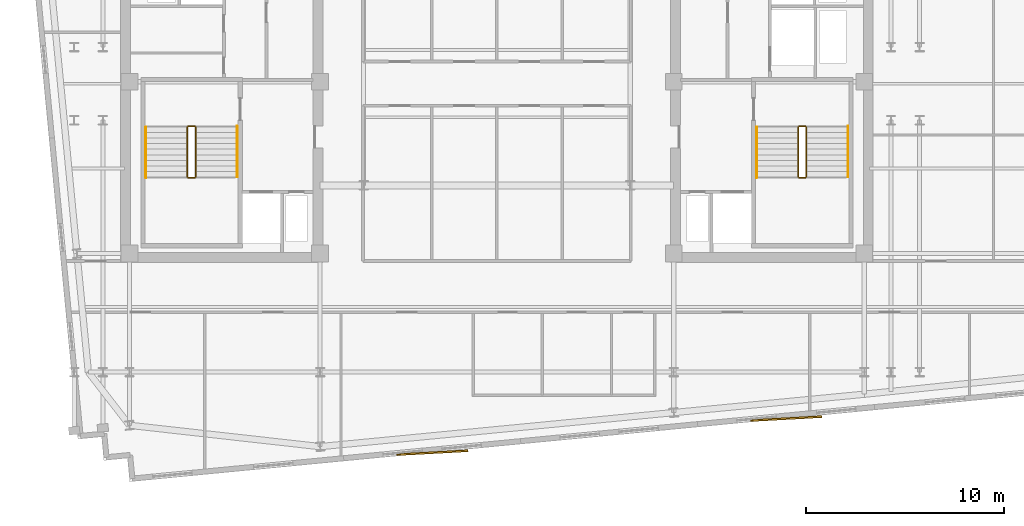
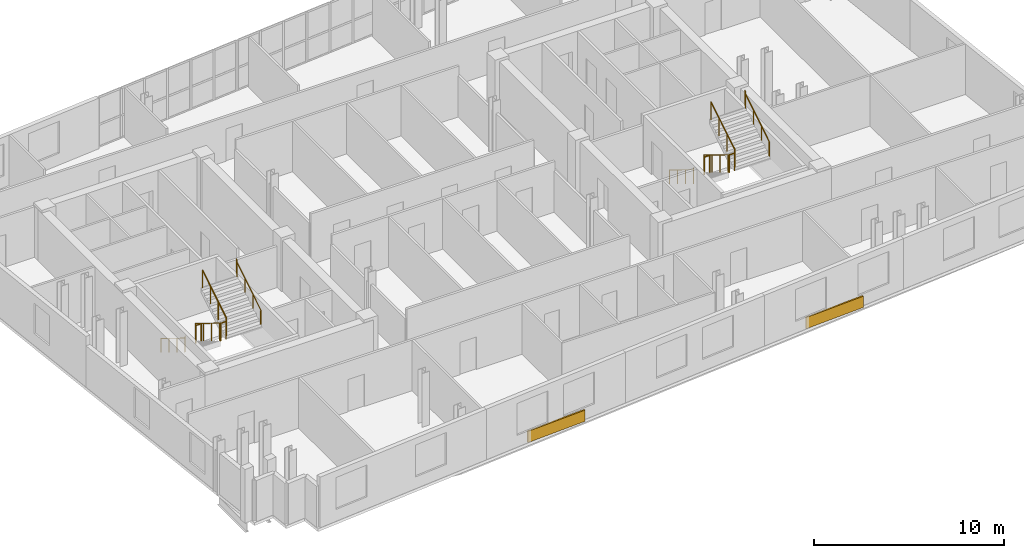
# One storey, part 11 of 11: 12 railings, 2 coverings.
"""IFC4 building model written with IfcOpenShell, lengths in metres."""

import ifcopenshell
import ifcopenshell.guid

model = None  # the IFC model being written
_history = None  # IfcOwnerHistory: only IFC2X3 demands one
_inside = {}  # id of a spatial element -> (the spatial element, [elements in it])
_under = {}  # id of a project, library or spatial element -> (it, [spatial elements below it])
_declared = {}  # id of a project -> (the project, [libraries it declares])
_typed = {}  # id of a type object -> (the type object, [elements of that type])
_made_of = {}  # id of a material, layer set ... -> (it, [elements and type objects made of it])


def new_model(schema):
    """Start an empty IFC model of exactly this schema.

    Asked for "IFC4X3", IfcOpenShell would pick the latest addendum, in which some entities
    have other attributes; the version numbers below select the first issue.
    IFC2X3 requires an IfcOwnerHistory on every rooted entity: one is made here for all.
    """
    global model, _history
    if schema == "IFC4X3":
        model = ifcopenshell.file(schema_version=(4, 3, 0, 0))
    else:
        model = ifcopenshell.file(schema=schema)
    _inside.clear()
    _under.clear()
    _declared.clear()
    _typed.clear()
    _made_of.clear()
    _history = None
    if model.schema == "IFC2X3":
        org = make("IfcOrganization", Name="unknown")
        user = make(
            "IfcPersonAndOrganization",
            ThePerson=make("IfcPerson", FamilyName="unknown"),
            TheOrganization=org,
        )
        app = make(
            "IfcApplication",
            ApplicationDeveloper=org,
            Version="unknown",
            ApplicationFullName="unknown",
            ApplicationIdentifier="unknown",
        )
        _history = make(
            "IfcOwnerHistory",
            OwningUser=user,
            OwningApplication=app,
            ChangeAction="ADDED",
            CreationDate=0,
        )
    return model


def make(cls, **values):
    """One entity of the class cls with the attributes given. An attribute that is None is left unset."""
    return model.create_entity(
        cls, **{name: value for name, value in values.items() if value is not None}
    )


def rooted(cls, **values):
    """An entity with a GlobalId (a new one), such as an element, a storey or a relation."""
    return make(cls, GlobalId=ifcopenshell.guid.new(), OwnerHistory=_history, **values)


def si_unit(unit_type, name, prefix=None):
    """IfcSIUnit, for example si_unit("LENGTHUNIT", "METRE", prefix="MILLI")."""
    return make("IfcSIUnit", UnitType=unit_type, Prefix=prefix, Name=name)


def assignment(units):
    """IfcUnitAssignment: the units of a project."""
    return None if units is None else make("IfcUnitAssignment", Units=units)


def point(xyz):
    """IfcCartesianPoint."""
    return None if xyz is None else make("IfcCartesianPoint", Coordinates=xyz)


def direction(xyz):
    """IfcDirection."""
    return None if xyz is None else make("IfcDirection", DirectionRatios=xyz)


def frame(location, z_axis=None, x_axis=None):
    """IfcAxis2Placement3D, a coordinate frame: its origin and axes. An axis left out is left unset."""
    return make(
        "IfcAxis2Placement3D",
        Location=point(location),
        Axis=direction(z_axis),
        RefDirection=direction(x_axis),
    )


def frame_2d(location, x_axis=None):
    """IfcAxis2Placement2D, a coordinate frame in the plane: its origin and x axis."""
    return make(
        "IfcAxis2Placement2D", Location=point(location), RefDirection=direction(x_axis)
    )


def origin():
    """The frame at (0, 0, 0) with its axes left unset."""
    return frame((0.0, 0.0, 0.0))


def origin_2d():
    """The frame at (0, 0) in the plane with its x axis left unset."""
    return frame_2d((0.0, 0.0))


def place(relative_to, where):
    """IfcLocalPlacement: puts the frame where relative to a parent placement (None: the world)."""
    return make(
        "IfcLocalPlacement", PlacementRelTo=relative_to, RelativePlacement=where
    )


def context(
    kind, dimensions, precision=None, world=None, true_north=None, identifier=None
):
    """IfcGeometricRepresentationContext, for example the 3D "Model" context."""
    return make(
        "IfcGeometricRepresentationContext",
        ContextIdentifier=identifier,
        ContextType=kind,
        CoordinateSpaceDimension=dimensions,
        Precision=precision,
        WorldCoordinateSystem=world,
        TrueNorth=true_north,
    )


def subcontext(parent, identifier, kind, view, scale=None):
    """IfcGeometricRepresentationSubContext, for example "Body" below "Model"."""
    return make(
        "IfcGeometricRepresentationSubContext",
        ContextIdentifier=identifier,
        ContextType=kind,
        ParentContext=parent,
        TargetScale=scale,
        TargetView=view,
    )


def project(units=None, contexts=None):
    """IfcProject with its units and contexts."""
    return rooted(
        "IfcProject",
        Name="project",
        RepresentationContexts=contexts,
        UnitsInContext=assignment(units),
    )


def spatial(cls, under=None, at=None, **own):
    """A site, building, storey or space (cls), placed at a placement, below another one or the project."""
    s = rooted(cls, ObjectPlacement=at, **own)
    if under is not None:
        _under.setdefault(under.id(), (under, []))[1].append(s)
    return s


def profile(cls, at=None, kind="AREA", **sizes):
    """A parametric profile (cls). Its sizes go by their IFC names, for example OverallWidth=200.0."""
    return make(cls, ProfileType=kind, Position=at, **sizes)


def rectangle(**sizes):
    """IfcRectangleProfileDef."""
    return profile("IfcRectangleProfileDef", **sizes)


def circle(**sizes):
    """IfcCircleProfileDef."""
    return profile("IfcCircleProfileDef", **sizes)


def extrude(swept, where, along, depth):
    """IfcExtrudedAreaSolid: the profile swept, set in the frame where, extruded along a direction by depth."""
    return make(
        "IfcExtrudedAreaSolid",
        SweptArea=swept,
        Position=where,
        ExtrudedDirection=direction(along),
        Depth=depth,
    )


def shape(context_of_items, identifier, shape_type, items):
    """IfcShapeRepresentation: the items that make up one representation, for example the "Body"."""
    return make(
        "IfcShapeRepresentation",
        ContextOfItems=context_of_items,
        RepresentationIdentifier=identifier,
        RepresentationType=shape_type,
        Items=items,
    )


def material(Name=None, Category=None):
    """IfcMaterial."""
    return make("IfcMaterial", Name=Name, Category=Category)


def layer(
    of_material, thickness, ventilated=None, Name=None, Category=None, Priority=None
):
    """IfcMaterialLayer: one layer of a wall or slab, of a material (None: an air gap)."""
    return make(
        "IfcMaterialLayer",
        Material=of_material,
        LayerThickness=thickness,
        IsVentilated=ventilated,
        Name=Name,
        Category=Category,
        Priority=Priority,
    )


def layer_set(layers, Name=None):
    """IfcMaterialLayerSet."""
    return make("IfcMaterialLayerSet", MaterialLayers=layers, LayerSetName=Name)


def made_of(thing, what):
    """Note that an element or type object is made of a material, layer set ...; save() writes the relation."""
    if what is not None:
        _made_of.setdefault(what.id(), (what, []))[1].append(thing)
    return thing


def type_object(cls, material=None, **own):
    """A type object (cls), such as IfcWallType, which elements share."""
    return made_of(rooted(cls, **own), material)


def element(
    cls,
    number,
    at=None,
    inside=None,
    cuts=None,
    type_object=None,
    material=None,
    context=None,
    identifier="Body",
    shape_type=None,
    held_by="IfcProductDefinitionShape",
    body=None,
    shapes=None,
    **own,
):
    """One element of the class cls, such as IfcWall. Its Tag is "e" and its number.

    at: its placement. inside: the storey or other place that contains it. cuts: it is an
    opening in that element (IfcRelVoidsElement). A single representation is given by context,
    identifier, shape_type and body (its items); several are given by shapes. held_by: the class
    of the entity that holds the representations. save() writes the other relations.
    """
    e = rooted(cls, Tag="e%d" % number, ObjectPlacement=at, **own)
    if body is not None:
        shapes = [shape(context, identifier, shape_type, body)]
    if shapes is not None:
        e.Representation = make(held_by, Representations=shapes)
    if inside is not None:
        _inside.setdefault(inside.id(), (inside, []))[1].append(e)
    if cuts is not None:
        rooted(
            "IfcRelVoidsElement", RelatingBuildingElement=cuts, RelatedOpeningElement=e
        )
    if type_object is not None:
        _typed.setdefault(type_object.id(), (type_object, []))[1].append(e)
    return made_of(e, material)


def aggregate(whole, parts):
    """IfcRelAggregates: a whole, such as a stair, and the parts it consists of."""
    return rooted("IfcRelAggregates", RelatingObject=whole, RelatedObjects=parts)


def save(model, path):
    """Write the relations noted so far, then the file.

    IfcRelAggregates (storeys below a building ...), IfcRelContainedInSpatialStructure (elements
    in a storey), IfcRelDefinesByType, IfcRelAssociatesMaterial and IfcRelDeclares: one each for
    every whole, place, type object, material and project.
    """
    for whole, parts in _under.values():
        aggregate(whole, parts)
    for where, things in _inside.values():
        rooted(
            "IfcRelContainedInSpatialStructure",
            RelatedElements=things,
            RelatingStructure=where,
        )
    for kind, things in _typed.values():
        rooted("IfcRelDefinesByType", RelatedObjects=things, RelatingType=kind)
    for what, things in _made_of.values():
        rooted("IfcRelAssociatesMaterial", RelatedObjects=things, RelatingMaterial=what)
    for by, libraries in _declared.values():
        rooted("IfcRelDeclares", RelatingContext=by, RelatedDefinitions=libraries)
    model.write(path)


model = new_model("IFC4")

# Units and contexts
model_context = context("Model", 3, precision=1e-05, world=origin(), true_north=direction((0.0, 1.0)))
body_context = subcontext(model_context, "Body", "Model", "MODEL_VIEW")
ifc_project = project(units=[si_unit("LENGTHUNIT", "METRE"), si_unit("AREAUNIT", "SQUARE_METRE"), si_unit("VOLUMEUNIT", "CUBIC_METRE"), si_unit("PLANEANGLEUNIT", "RADIAN"), si_unit("MASSUNIT", "GRAM", prefix="KILO")], contexts=[model_context])

# Site, building, storey
site_placement = place(None, origin())
site = spatial("IfcSite", under=ifc_project, at=site_placement, CompositionType="ELEMENT")
building_placement = place(site_placement, origin())
building = spatial("IfcBuilding", under=site, at=building_placement, Name="Velakula Bourse", CompositionType="ELEMENT")
storey_placement = place(building_placement, frame((0.0, 0.0, 279.300048828125)))
storey = spatial("IfcBuildingStorey", under=building, at=storey_placement, Name="L76", CompositionType="ELEMENT", Elevation=279.300048828125)

# Coverings
ifc_material_1 = material(Name="Buff kilned clay facing brick masonry", Category="masonry")
ifc_layer = layer(ifc_material_1, 0.074951171875, Name="Buff kilned clay facing brick masonry", Category="masonry")
ifc_layer_set = layer_set([ifc_layer], Name="Buff kilned clay facing brick masonry")
covering_type = type_object("IfcCoveringType", Name="COV-BRK-SPN-75", PredefinedType="CLADDING", material=ifc_layer_set)
for number, where, z_axis, x_axis, name in (
    (1, (-3.26220703125, -18.68115234375, 0.0), (0.0, 0.0, 1.0), (0.998489097451, 0.054950179912, 0.0), "L76 Folded Brick Facade Cladding Panel S-B2"),
    (2, (14.655029296875, -16.955810546875, 0.0), (0.0, 0.0, 1.0), (0.998489097451, 0.054950179912, 0.0), "L76 Folded Brick Facade Cladding Panel S-B4"),
):
    element("IfcCovering", number, at=place(storey_placement, frame(where, z_axis=z_axis, x_axis=x_axis)), inside=storey, type_object=covering_type, Name=name, PredefinedType="CLADDING", context=body_context, shape_type="SweptSolid", body=[
        extrude(rectangle(XDim=3.60009765625, YDim=0.090087890625, at=origin_2d()), origin(), (0.0, 0.0, 1.0), 0.719970703125),
    ])

# Railings
ifc_material_2 = material(Name="Brushed grade 316 stainless steel", Category="steel")
railing_type_1 = type_object("IfcRailingType", Name="RLG-STAIR-GUARD-1150", PredefinedType="BALUSTRADE", material=ifc_material_2)
railing_1_placement = place(storey_placement, frame((-15.672119140625, -2.199951171875, 0.17236328125)))
element("IfcRailing", 3, at=railing_1_placement, inside=storey, type_object=railing_type_1, Name="L76 ST-W1 stair guard 1", PredefinedType="BALUSTRADE", context=body_context, shape_type="SweptSolid", body=[
    extrude(circle(Radius=0.02490234375, at=origin_2d()), frame((0.0, 0.0, 1.125), z_axis=(0.0, -0.851400495292, 0.524516154772), x_axis=(1.0, 0.0, 0.0)), (0.0, 0.0, 1.0), 2.9599609375),
    extrude(circle(Radius=0.02099609375, at=origin_2d()), origin(), (0.0, 0.0, 1.0), 1.099853515625),
    extrude(circle(Radius=0.02099609375, at=origin_2d()), frame((0.0, -0.840087890625, 0.517578125)), (0.0, 0.0, 1.0), 1.099853515625),
    extrude(circle(Radius=0.02099609375, at=origin_2d()), frame((0.0, -1.679931640625, 1.034912109375)), (0.0, 0.0, 1.0), 1.099853515625),
    extrude(circle(Radius=0.02099609375, at=origin_2d()), frame((0.0, -2.52001953125, 1.552490234375)), (0.0, 0.0, 1.0), 1.099853515625),
])
railing_2_placement = place(storey_placement, frame((-15.6220703125, -4.77001953125, 1.724853515625)))
element("IfcRailing", 4, at=railing_2_placement, inside=storey, type_object=railing_type_1, Name="L76 ST-W1 stair guard 2", PredefinedType="BALUSTRADE", context=body_context, shape_type="SweptSolid", body=[
    extrude(circle(Radius=0.02490234375, at=origin_2d()), frame((0.0, 0.0, 1.125), z_axis=(1.0, 0.0, 0.0), x_axis=(0.0, 1.0, 0.0)), (0.0, 0.0, 1.0), 0.323974609375),
    extrude(circle(Radius=0.02099609375, at=origin_2d()), origin(), (0.0, 0.0, 1.0), 1.099853515625),
    extrude(circle(Radius=0.02099609375, at=origin_2d()), frame((0.323974609375, 0.0, 0.0)), (0.0, 0.0, 1.0), 1.099853515625),
])
railing_3_placement = place(storey_placement, frame((-15.248046875, -4.719970703125, 1.8974609375)))
element("IfcRailing", 5, at=railing_3_placement, inside=storey, type_object=railing_type_1, Name="L76 ST-W1 stair guard 3", PredefinedType="BALUSTRADE", context=body_context, shape_type="SweptSolid", body=[
    extrude(circle(Radius=0.02490234375, at=origin_2d()), frame((0.0, 0.0, 1.125), z_axis=(0.0, 0.851400495292, 0.524516154772), x_axis=(-1.0, 0.0, 0.0)), (0.0, 0.0, 1.0), 2.9599609375),
    extrude(circle(Radius=0.02099609375, at=origin_2d()), origin(), (0.0, 0.0, 1.0), 1.099853515625),
    extrude(circle(Radius=0.02099609375, at=origin_2d()), frame((0.0, 0.840087890625, 0.517578125)), (0.0, 0.0, 1.0), 1.099853515625),
    extrude(circle(Radius=0.02099609375, at=origin_2d()), frame((0.0, 1.679931640625, 1.034912109375)), (0.0, 0.0, 1.0), 1.099853515625),
    extrude(circle(Radius=0.02099609375, at=origin_2d()), frame((0.0, 2.52001953125, 1.552490234375)), (0.0, 0.0, 1.0), 1.099853515625),
])
railing_4_placement = place(storey_placement, frame((-15.6220703125, -2.14990234375, 0.0)))
element("IfcRailing", 6, at=railing_4_placement, inside=storey, type_object=railing_type_1, Name="L76 ST-W1 stair guard 4", PredefinedType="BALUSTRADE", context=body_context, shape_type="SweptSolid", body=[
    extrude(circle(Radius=0.02490234375, at=origin_2d()), frame((0.0, 0.0, 1.125), z_axis=(1.0, 0.0, 0.0), x_axis=(0.0, 1.0, 0.0)), (0.0, 0.0, 1.0), 0.323974609375),
    extrude(circle(Radius=0.02099609375, at=origin_2d()), origin(), (0.0, 0.0, 1.0), 1.099853515625),
    extrude(circle(Radius=0.02099609375, at=origin_2d()), frame((0.323974609375, 0.0, 0.0)), (0.0, 0.0, 1.0), 1.099853515625),
])
railing_5_placement = place(storey_placement, frame((15.248046875, -2.199951171875, 0.17236328125)))
element("IfcRailing", 7, at=railing_5_placement, inside=storey, type_object=railing_type_1, Name="L76 ST-E1 stair guard 1", PredefinedType="BALUSTRADE", context=body_context, shape_type="SweptSolid", body=[
    extrude(circle(Radius=0.02490234375, at=origin_2d()), frame((0.0, 0.0, 1.125), z_axis=(0.0, -0.851400495292, 0.524516154772), x_axis=(1.0, 0.0, 0.0)), (0.0, 0.0, 1.0), 2.9599609375),
    extrude(circle(Radius=0.02099609375, at=origin_2d()), origin(), (0.0, 0.0, 1.0), 1.099853515625),
    extrude(circle(Radius=0.02099609375, at=origin_2d()), frame((0.0, -0.840087890625, 0.517578125)), (0.0, 0.0, 1.0), 1.099853515625),
    extrude(circle(Radius=0.02099609375, at=origin_2d()), frame((0.0, -1.679931640625, 1.034912109375)), (0.0, 0.0, 1.0), 1.099853515625),
    extrude(circle(Radius=0.02099609375, at=origin_2d()), frame((0.0, -2.52001953125, 1.552490234375)), (0.0, 0.0, 1.0), 1.099853515625),
])
railing_6_placement = place(storey_placement, frame((15.298095703125, -4.77001953125, 1.724853515625)))
element("IfcRailing", 8, at=railing_6_placement, inside=storey, type_object=railing_type_1, Name="L76 ST-E1 stair guard 2", PredefinedType="BALUSTRADE", context=body_context, shape_type="SweptSolid", body=[
    extrude(circle(Radius=0.02490234375, at=origin_2d()), frame((0.0, 0.0, 1.125), z_axis=(1.0, 0.0, 0.0), x_axis=(0.0, 1.0, 0.0)), (0.0, 0.0, 1.0), 0.323974609375),
    extrude(circle(Radius=0.02099609375, at=origin_2d()), origin(), (0.0, 0.0, 1.0), 1.099853515625),
    extrude(circle(Radius=0.02099609375, at=origin_2d()), frame((0.323974609375, 0.0, 0.0)), (0.0, 0.0, 1.0), 1.099853515625),
])
railing_7_placement = place(storey_placement, frame((15.672119140625, -4.719970703125, 1.8974609375)))
element("IfcRailing", 9, at=railing_7_placement, inside=storey, type_object=railing_type_1, Name="L76 ST-E1 stair guard 3", PredefinedType="BALUSTRADE", context=body_context, shape_type="SweptSolid", body=[
    extrude(circle(Radius=0.02490234375, at=origin_2d()), frame((0.0, 0.0, 1.125), z_axis=(0.0, 0.851400495292, 0.524516154772), x_axis=(-1.0, 0.0, 0.0)), (0.0, 0.0, 1.0), 2.9599609375),
    extrude(circle(Radius=0.02099609375, at=origin_2d()), origin(), (0.0, 0.0, 1.0), 1.099853515625),
    extrude(circle(Radius=0.02099609375, at=origin_2d()), frame((0.0, 0.840087890625, 0.517578125)), (0.0, 0.0, 1.0), 1.099853515625),
    extrude(circle(Radius=0.02099609375, at=origin_2d()), frame((0.0, 1.679931640625, 1.034912109375)), (0.0, 0.0, 1.0), 1.099853515625),
    extrude(circle(Radius=0.02099609375, at=origin_2d()), frame((0.0, 2.52001953125, 1.552490234375)), (0.0, 0.0, 1.0), 1.099853515625),
])
railing_8_placement = place(storey_placement, frame((15.298095703125, -2.14990234375, 0.0)))
element("IfcRailing", 10, at=railing_8_placement, inside=storey, type_object=railing_type_1, Name="L76 ST-E1 stair guard 4", PredefinedType="BALUSTRADE", context=body_context, shape_type="SweptSolid", body=[
    extrude(circle(Radius=0.02490234375, at=origin_2d()), frame((0.0, 0.0, 1.125), z_axis=(1.0, 0.0, 0.0), x_axis=(0.0, 1.0, 0.0)), (0.0, 0.0, 1.0), 0.323974609375),
    extrude(circle(Radius=0.02099609375, at=origin_2d()), origin(), (0.0, 0.0, 1.0), 1.099853515625),
    extrude(circle(Radius=0.02099609375, at=origin_2d()), frame((0.323974609375, 0.0, 0.0)), (0.0, 0.0, 1.0), 1.099853515625),
])
railing_type_2 = type_object("IfcRailingType", Name="RLG-STAIR-HAND-920", PredefinedType="HANDRAIL", material=ifc_material_2)
railing_9_placement = place(storey_placement, frame((-17.77001953125, -2.199951171875, 0.17236328125)))
element("IfcRailing", 11, at=railing_9_placement, inside=storey, type_object=railing_type_2, Name="L76 ST-W1 stair handrail 1", PredefinedType="HANDRAIL", context=body_context, shape_type="SweptSolid", body=[
    extrude(circle(Radius=0.02099609375, at=origin_2d()), frame((0.0, 0.0, 0.89892578125), z_axis=(0.0, -0.851400495292, 0.524516154772), x_axis=(1.0, 0.0, 0.0)), (0.0, 0.0, 1.0), 2.9599609375),
    extrude(circle(Radius=0.02099609375, at=origin_2d()), frame((0.0, -2.52001953125, 2.451416015625), z_axis=(0.0, -0.22596628056, 0.974135124123), x_axis=(1.0, 0.0, 0.0)), (0.0, 0.0, 1.0), 0.17724609375),
    extrude(circle(Radius=0.02099609375, at=origin_2d()), frame((0.0, -2.56005859375, 2.6240234375), z_axis=(0.0, -1.0, 0.0), x_axis=(1.0, 0.0, 0.0)), (0.0, 0.0, 1.0), 0.0048828125),
    extrude(circle(Radius=0.02099609375, at=origin_2d()), origin(), (0.0, 0.0, 1.0), 0.8779296875),
    extrude(circle(Radius=0.02099609375, at=origin_2d()), frame((0.0, -0.840087890625, 0.517578125)), (0.0, 0.0, 1.0), 0.8779296875),
    extrude(circle(Radius=0.02099609375, at=origin_2d()), frame((0.0, -1.679931640625, 1.034912109375)), (0.0, 0.0, 1.0), 0.8779296875),
    extrude(circle(Radius=0.02099609375, at=origin_2d()), frame((0.0, -2.52001953125, 1.552490234375)), (0.0, 0.0, 1.0), 0.8779296875),
    extrude(circle(Radius=0.02099609375, at=origin_2d()), frame((0.0, -2.56005859375, 1.72509765625)), (0.0, 0.0, 1.0), 0.8779296875),
    extrude(circle(Radius=0.02099609375, at=origin_2d()), frame((0.0, -2.56494140625, 1.72509765625)), (0.0, 0.0, 1.0), 0.8779296875),
])
railing_10_placement = place(storey_placement, frame((-13.14990234375, -4.719970703125, 1.8974609375)))
element("IfcRailing", 12, at=railing_10_placement, inside=storey, type_object=railing_type_2, Name="L76 ST-W1 stair handrail 2", PredefinedType="HANDRAIL", context=body_context, shape_type="SweptSolid", body=[
    extrude(circle(Radius=0.02099609375, at=origin_2d()), frame((0.0, 0.0, 0.89892578125), z_axis=(0.0, 0.851400495292, 0.524516154772), x_axis=(-1.0, 0.0, 0.0)), (0.0, 0.0, 1.0), 2.9599609375),
    extrude(circle(Radius=0.02099609375, at=origin_2d()), frame((0.0, 2.52001953125, 2.451416015625), z_axis=(0.0, 0.22596628056, 0.974135124123), x_axis=(-1.0, 0.0, 0.0)), (0.0, 0.0, 1.0), 0.17724609375),
    extrude(circle(Radius=0.02099609375, at=origin_2d()), frame((0.0, 2.56005859375, 2.6240234375), z_axis=(0.0, 1.0, 0.0), x_axis=(-1.0, 0.0, 0.0)), (0.0, 0.0, 1.0), 0.0048828125),
    extrude(circle(Radius=0.02099609375, at=origin_2d()), origin(), (0.0, 0.0, 1.0), 0.8779296875),
    extrude(circle(Radius=0.02099609375, at=origin_2d()), frame((0.0, 0.840087890625, 0.517578125)), (0.0, 0.0, 1.0), 0.8779296875),
    extrude(circle(Radius=0.02099609375, at=origin_2d()), frame((0.0, 1.679931640625, 1.034912109375)), (0.0, 0.0, 1.0), 0.8779296875),
    extrude(circle(Radius=0.02099609375, at=origin_2d()), frame((0.0, 2.52001953125, 1.552490234375)), (0.0, 0.0, 1.0), 0.8779296875),
    extrude(circle(Radius=0.02099609375, at=origin_2d()), frame((0.0, 2.56005859375, 1.72509765625)), (0.0, 0.0, 1.0), 0.8779296875),
    extrude(circle(Radius=0.02099609375, at=origin_2d()), frame((0.0, 2.56494140625, 1.72509765625)), (0.0, 0.0, 1.0), 0.8779296875),
])
railing_11_placement = place(storey_placement, frame((13.14990234375, -2.199951171875, 0.17236328125)))
element("IfcRailing", 13, at=railing_11_placement, inside=storey, type_object=railing_type_2, Name="L76 ST-E1 stair handrail 1", PredefinedType="HANDRAIL", context=body_context, shape_type="SweptSolid", body=[
    extrude(circle(Radius=0.02099609375, at=origin_2d()), frame((0.0, 0.0, 0.89892578125), z_axis=(0.0, -0.851400495292, 0.524516154772), x_axis=(1.0, 0.0, 0.0)), (0.0, 0.0, 1.0), 2.9599609375),
    extrude(circle(Radius=0.02099609375, at=origin_2d()), frame((0.0, -2.52001953125, 2.451416015625), z_axis=(0.0, -0.22596628056, 0.974135124123), x_axis=(1.0, 0.0, 0.0)), (0.0, 0.0, 1.0), 0.17724609375),
    extrude(circle(Radius=0.02099609375, at=origin_2d()), frame((0.0, -2.56005859375, 2.6240234375), z_axis=(0.0, -1.0, 0.0), x_axis=(1.0, 0.0, 0.0)), (0.0, 0.0, 1.0), 0.0048828125),
    extrude(circle(Radius=0.02099609375, at=origin_2d()), origin(), (0.0, 0.0, 1.0), 0.8779296875),
    extrude(circle(Radius=0.02099609375, at=origin_2d()), frame((0.0, -0.840087890625, 0.517578125)), (0.0, 0.0, 1.0), 0.8779296875),
    extrude(circle(Radius=0.02099609375, at=origin_2d()), frame((0.0, -1.679931640625, 1.034912109375)), (0.0, 0.0, 1.0), 0.8779296875),
    extrude(circle(Radius=0.02099609375, at=origin_2d()), frame((0.0, -2.52001953125, 1.552490234375)), (0.0, 0.0, 1.0), 0.8779296875),
    extrude(circle(Radius=0.02099609375, at=origin_2d()), frame((0.0, -2.56005859375, 1.72509765625)), (0.0, 0.0, 1.0), 0.8779296875),
    extrude(circle(Radius=0.02099609375, at=origin_2d()), frame((0.0, -2.56494140625, 1.72509765625)), (0.0, 0.0, 1.0), 0.8779296875),
])
railing_12_placement = place(storey_placement, frame((17.77001953125, -4.719970703125, 1.8974609375)))
element("IfcRailing", 14, at=railing_12_placement, inside=storey, type_object=railing_type_2, Name="L76 ST-E1 stair handrail 2", PredefinedType="HANDRAIL", context=body_context, shape_type="SweptSolid", body=[
    extrude(circle(Radius=0.02099609375, at=origin_2d()), frame((0.0, 0.0, 0.89892578125), z_axis=(0.0, 0.851400495292, 0.524516154772), x_axis=(-1.0, 0.0, 0.0)), (0.0, 0.0, 1.0), 2.9599609375),
    extrude(circle(Radius=0.02099609375, at=origin_2d()), frame((0.0, 2.52001953125, 2.451416015625), z_axis=(0.0, 0.22596628056, 0.974135124123), x_axis=(-1.0, 0.0, 0.0)), (0.0, 0.0, 1.0), 0.17724609375),
    extrude(circle(Radius=0.02099609375, at=origin_2d()), frame((0.0, 2.56005859375, 2.6240234375), z_axis=(0.0, 1.0, 0.0), x_axis=(-1.0, 0.0, 0.0)), (0.0, 0.0, 1.0), 0.0048828125),
    extrude(circle(Radius=0.02099609375, at=origin_2d()), origin(), (0.0, 0.0, 1.0), 0.8779296875),
    extrude(circle(Radius=0.02099609375, at=origin_2d()), frame((0.0, 0.840087890625, 0.517578125)), (0.0, 0.0, 1.0), 0.8779296875),
    extrude(circle(Radius=0.02099609375, at=origin_2d()), frame((0.0, 1.679931640625, 1.034912109375)), (0.0, 0.0, 1.0), 0.8779296875),
    extrude(circle(Radius=0.02099609375, at=origin_2d()), frame((0.0, 2.52001953125, 1.552490234375)), (0.0, 0.0, 1.0), 0.8779296875),
    extrude(circle(Radius=0.02099609375, at=origin_2d()), frame((0.0, 2.56005859375, 1.72509765625)), (0.0, 0.0, 1.0), 0.8779296875),
    extrude(circle(Radius=0.02099609375, at=origin_2d()), frame((0.0, 2.56494140625, 1.72509765625)), (0.0, 0.0, 1.0), 0.8779296875),
])

save(model, "model.ifc")
